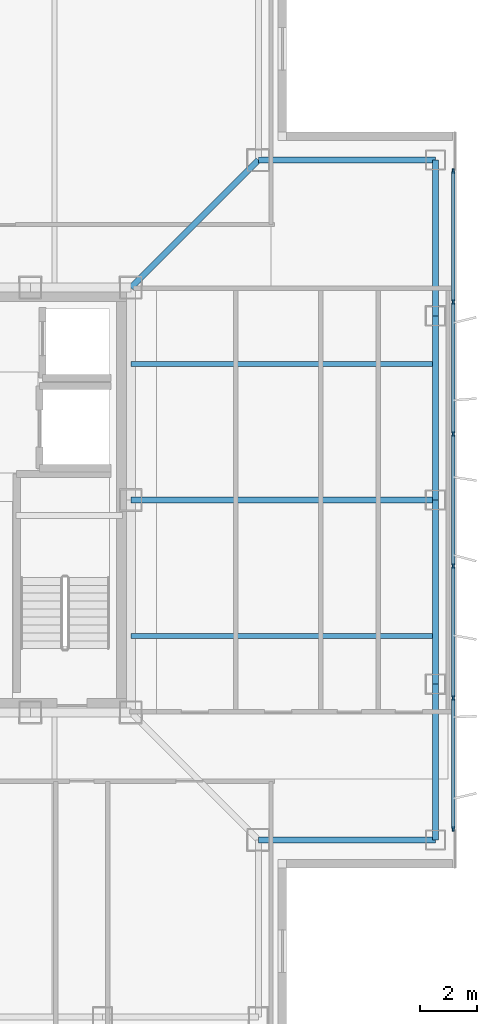
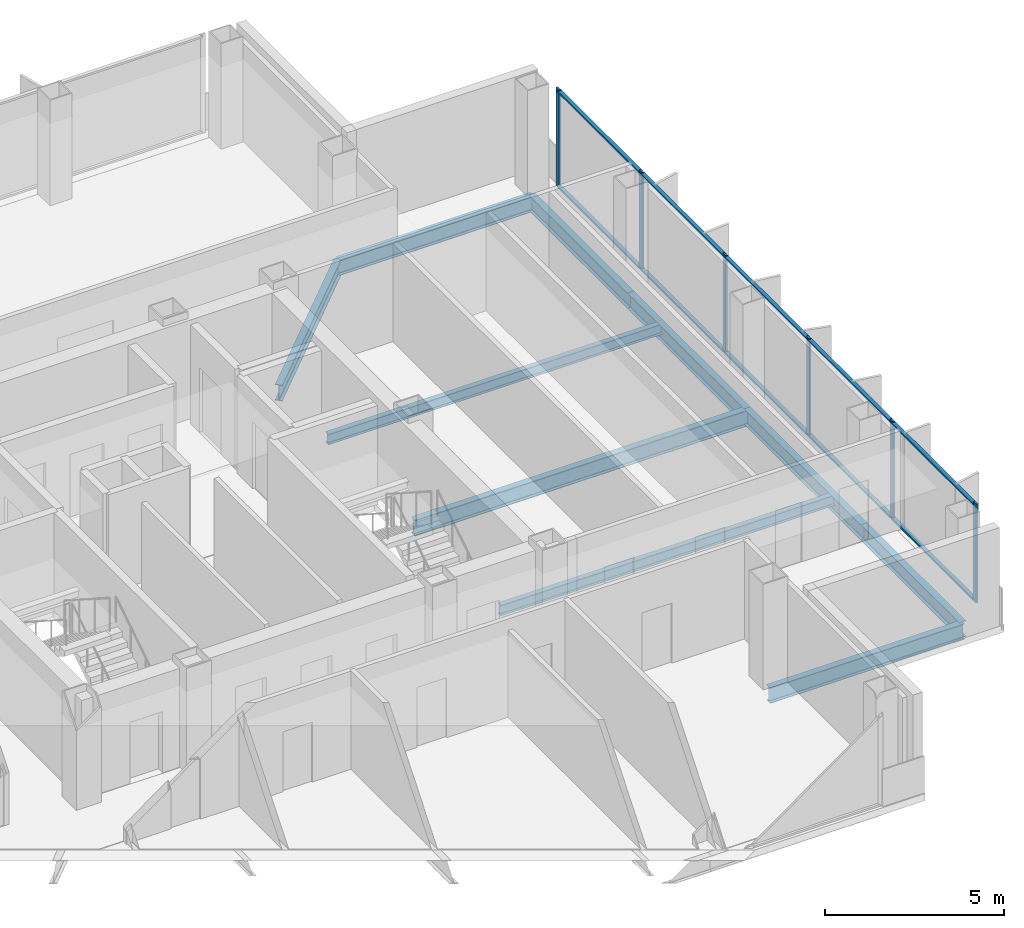
# One storey, part 5 of 15: 16 members, 10 beams, 1 element without a shape of its own.
"""IFC4 building model written with IfcOpenShell, lengths in metres."""

from ifc_helpers import new_model, si_unit, direction, frame, origin, origin_2d, place, context, subcontext, project, spatial, rectangle, i_section, extrude, material, layer, layer_set, material_profile, profile_set, type_object, element, aggregate, save


model = new_model("IFC4")

# Units and contexts
model_context = context("Model", 3, precision=1e-05, world=origin(), true_north=direction((0.0, 1.0)))
body_context = subcontext(model_context, "Body", "Model", "MODEL_VIEW")
ifc_project = project(units=[si_unit("LENGTHUNIT", "METRE"), si_unit("AREAUNIT", "SQUARE_METRE"), si_unit("VOLUMEUNIT", "CUBIC_METRE"), si_unit("PLANEANGLEUNIT", "RADIAN"), si_unit("MASSUNIT", "GRAM", prefix="KILO")], contexts=[model_context])

# Site, building, storey
site_placement = place(None, origin())
site = spatial("IfcSite", under=ifc_project, at=site_placement, CompositionType="ELEMENT")
building_placement = place(site_placement, origin())
building = spatial("IfcBuilding", under=site, at=building_placement, Name="Trevonay Congress Spire", CompositionType="ELEMENT")
storey_placement = place(building_placement, frame((0.0, 0.0, 293.60009765625)))
storey = spatial("IfcBuildingStorey", under=building, at=storey_placement, Name="L77", CompositionType="ELEMENT", Elevation=293.60009765625)

# Beams
ifc_material_1 = material(Name="Steel ASTM A572 Grade 50", Category="steel")
ifc_material_profile_1 = material_profile(ifc_material_1, i_section(OverallWidth=0.2119140625, OverallDepth=0.5439453125, WebThickness=0.01318359375, FlangeThickness=0.021240234375, FilletRadius=0.014892578125, at=origin_2d()), Name="W530x123")
ifc_profile_set_1 = profile_set([ifc_material_profile_1], Name="Steel ASTM A572 Grade 50")
beam_type_1 = type_object("IfcBeamType", Name="BM-GIRD-W530X123", PredefinedType="BEAM", material=ifc_profile_set_1)
beam_1_placement = place(storey_placement, frame((7.5, 7.5, -0.51220703125), z_axis=(0.707106781187, 0.707106781187, 0.0), x_axis=(-0.707106781187, 0.707106781187, 0.0)))
element("IfcBeam", 1, at=beam_1_placement, inside=storey, type_object=beam_type_1, Name="L77 structural beam BM-L77-CDNE", PredefinedType="BEAM", context=body_context, shape_type="SweptSolid", body=[
    extrude(i_section(OverallWidth=0.2119140625, OverallDepth=0.5439453125, WebThickness=0.01318359375, FlangeThickness=0.021240234375, FilletRadius=0.014892578125, at=origin_2d()), origin(), (0.0, 0.0, 1.0), 6.364013671875),
])
beam_2_placement = place(storey_placement, frame((7.5, 0.0, -0.51220703125), z_axis=(1.0, 0.0, 0.0), x_axis=(0.0, 1.0, 0.0)))
element("IfcBeam", 2, at=beam_2_placement, inside=storey, type_object=beam_type_1, Name="L77 structural beam BM-L77-GC-E", PredefinedType="BEAM", context=body_context, shape_type="SweptSolid", body=[
    extrude(i_section(OverallWidth=0.2119140625, OverallDepth=0.5439453125, WebThickness=0.01318359375, FlangeThickness=0.021240234375, FilletRadius=0.014892578125, at=origin_2d()), origin(), (0.0, 0.0, 1.0), 10.75),
])
ifc_material_profile_2 = material_profile(ifc_material_1, i_section(OverallWidth=0.208984375, OverallDepth=0.532958984375, WebThickness=0.01025390625, FlangeThickness=0.015625, FilletRadius=0.014892578125, at=origin_2d()), Name="W530x92")
ifc_profile_set_2 = profile_set([ifc_material_profile_2], Name="Steel ASTM A572 Grade 50")
beam_type_2 = type_object("IfcBeamType", Name="BM-RING-W530X92", PredefinedType="BEAM", material=ifc_profile_set_2)
beam_3_placement = place(storey_placement, frame((18.25, -12.0, -0.506591796875), z_axis=(0.0, 1.0, 0.0), x_axis=(-1.0, 0.0, 0.0)))
element("IfcBeam", 3, at=beam_3_placement, inside=storey, type_object=beam_type_2, Name="L77 structural beam BM-L77-PE1", PredefinedType="BEAM", context=body_context, shape_type="SweptSolid", body=[
    extrude(i_section(OverallWidth=0.208984375, OverallDepth=0.532958984375, WebThickness=0.01025390625, FlangeThickness=0.015625, FilletRadius=0.014892578125, at=origin_2d()), origin(), (0.0, 0.0, 1.0), 5.5),
])
for number, where, z_axis, x_axis, name in (
    (4, (18.25, -6.5, -0.506591796875), (0.0, 1.0, 0.0), (-1.0, 0.0, 0.0), "L77 structural beam BM-L77-PE2"),
    (5, (18.25, 0.0, -0.506591796875), (0.0, 1.0, 0.0), (-1.0, 0.0, 0.0), "L77 structural beam BM-L77-PE3"),
):
    element("IfcBeam", number, at=place(storey_placement, frame(where, z_axis=z_axis, x_axis=x_axis)), inside=storey, type_object=beam_type_2, Name=name, PredefinedType="BEAM", context=body_context, shape_type="SweptSolid", body=[
        extrude(i_section(OverallWidth=0.208984375, OverallDepth=0.532958984375, WebThickness=0.01025390625, FlangeThickness=0.015625, FilletRadius=0.014892578125, at=origin_2d()), origin(), (0.0, 0.0, 1.0), 6.5),
    ])
beam_4_placement = place(storey_placement, frame((18.25, 6.5, -0.506591796875), z_axis=(0.0, 1.0, 0.0), x_axis=(-1.0, 0.0, 0.0)))
element("IfcBeam", 6, at=beam_4_placement, inside=storey, type_object=beam_type_2, Name="L77 structural beam BM-L77-PE4", PredefinedType="BEAM", context=body_context, shape_type="SweptSolid", body=[
    extrude(i_section(OverallWidth=0.208984375, OverallDepth=0.532958984375, WebThickness=0.01025390625, FlangeThickness=0.015625, FilletRadius=0.014892578125, at=origin_2d()), origin(), (0.0, 0.0, 1.0), 5.5),
])
for number, where, z_axis, x_axis, name in (
    (7, (18.25, -12.0, -0.506591796875), (-1.0, 0.0, 0.0), (0.0, -1.0, 0.0), "L77 structural beam BM-L77-N2SE"),
    (8, (18.25, 12.0, -0.506591796875), (-1.0, 0.0, 0.0), (0.0, -1.0, 0.0), "L77 structural beam BM-L77-N2NE"),
):
    element("IfcBeam", number, at=place(storey_placement, frame(where, z_axis=z_axis, x_axis=x_axis)), inside=storey, type_object=beam_type_2, Name=name, PredefinedType="BEAM", context=body_context, shape_type="SweptSolid", body=[
        extrude(i_section(OverallWidth=0.208984375, OverallDepth=0.532958984375, WebThickness=0.01025390625, FlangeThickness=0.015625, FilletRadius=0.014892578125, at=origin_2d()), origin(), (0.0, 0.0, 1.0), 6.25),
    ])

# Curtain wall, members
ifc_material_2 = material(Name="Pale Anodised Aluminium EN AW-6063-T6", Category="aluminium")
ifc_layer = layer(ifc_material_2, 0.1650390625, Name="Pale Anodised Aluminium EN AW-6063-T6")
ifc_layer_set = layer_set([ifc_layer], Name="Pale Anodised Aluminium EN AW-6063-T6")
curtain_wall_type = type_object("IfcCurtainWallType", Name="CW-SYS05-DIPLOM-PALE-METAL", PredefinedType="NOTDEFINED", material=ifc_layer_set)
curtain_wall_placement = place(storey_placement, origin())
curtain_wall = element("IfcCurtainWall", 9, at=curtain_wall_placement, inside=storey, type_object=curtain_wall_type, Name="L77 E unitised curtain wall", PredefinedType="NOTDEFINED")
ifc_material_profile_3 = material_profile(ifc_material_2, rectangle(XDim=0.06005859375, YDim=0.159912109375, at=origin_2d()), Name="CW-MULLION-160-ALUMINIUM")
ifc_profile_set_3 = profile_set([ifc_material_profile_3], Name="Pale Anodised Aluminium EN AW-6063-T6")
member_type_1 = type_object("IfcMemberType", Name="CW-MULLION-160-ALUMINIUM", PredefinedType="MULLION", material=ifc_profile_set_3)
member_1_placement = place(storey_placement, frame((18.8798828125, -11.6201171875, 0.0), z_axis=(0.0, 0.0, 1.0), x_axis=(-1.0, 0.0, 0.0)))
member_1 = element("IfcMember", 10, at=member_1_placement, type_object=member_type_1, Name="CW05 mullion 1", PredefinedType="MULLION", context=body_context, shape_type="SweptSolid", body=[
    extrude(rectangle(XDim=0.06005859375, YDim=0.159912109375, at=origin_2d()), origin(), (0.0, 0.0, 1.0), 3.35986328125),
])
member_2_placement = place(storey_placement, frame((18.8798828125, -6.989990234375, 0.0), z_axis=(0.0, 0.0, 1.0), x_axis=(-1.0, 0.0, 0.0)))
member_2 = element("IfcMember", 11, at=member_2_placement, type_object=member_type_1, Name="CW05 mullion 2", PredefinedType="MULLION", context=body_context, shape_type="SweptSolid", body=[
    extrude(rectangle(XDim=0.06005859375, YDim=0.159912109375, at=origin_2d()), origin(), (0.0, 0.0, 1.0), 3.35986328125),
])
member_3_placement = place(storey_placement, frame((18.8798828125, -2.330078125, 0.0), z_axis=(0.0, 0.0, 1.0), x_axis=(-1.0, 0.0, 0.0)))
member_3 = element("IfcMember", 12, at=member_3_placement, type_object=member_type_1, Name="CW05 mullion 3", PredefinedType="MULLION", context=body_context, shape_type="SweptSolid", body=[
    extrude(rectangle(XDim=0.06005859375, YDim=0.159912109375, at=origin_2d()), origin(), (0.0, 0.0, 1.0), 3.35986328125),
])
member_4_placement = place(storey_placement, frame((18.8798828125, 2.330078125, 0.0), z_axis=(0.0, 0.0, 1.0), x_axis=(-1.0, 0.0, 0.0)))
member_4 = element("IfcMember", 13, at=member_4_placement, type_object=member_type_1, Name="CW05 mullion 4", PredefinedType="MULLION", context=body_context, shape_type="SweptSolid", body=[
    extrude(rectangle(XDim=0.06005859375, YDim=0.159912109375, at=origin_2d()), origin(), (0.0, 0.0, 1.0), 3.35986328125),
])
member_5_placement = place(storey_placement, frame((18.8798828125, 6.989990234375, 0.0), z_axis=(0.0, 0.0, 1.0), x_axis=(-1.0, 0.0, 0.0)))
member_5 = element("IfcMember", 14, at=member_5_placement, type_object=member_type_1, Name="CW05 mullion 5", PredefinedType="MULLION", context=body_context, shape_type="SweptSolid", body=[
    extrude(rectangle(XDim=0.06005859375, YDim=0.159912109375, at=origin_2d()), origin(), (0.0, 0.0, 1.0), 3.35986328125),
])
member_6_placement = place(storey_placement, frame((18.8798828125, 11.6201171875, 0.0), z_axis=(0.0, 0.0, 1.0), x_axis=(-1.0, 0.0, 0.0)))
member_6 = element("IfcMember", 15, at=member_6_placement, type_object=member_type_1, Name="CW05 mullion 6", PredefinedType="MULLION", context=body_context, shape_type="SweptSolid", body=[
    extrude(rectangle(XDim=0.06005859375, YDim=0.159912109375, at=origin_2d()), origin(), (0.0, 0.0, 1.0), 3.35986328125),
])
ifc_material_profile_4 = material_profile(ifc_material_2, rectangle(XDim=0.1201171875, YDim=0.06005859375, at=origin_2d()), Name="CW-TRANSOM-120-ALUMINIUM")
ifc_profile_set_4 = profile_set([ifc_material_profile_4], Name="Pale Anodised Aluminium EN AW-6063-T6")
member_type_2 = type_object("IfcMemberType", Name="CW-TRANSOM-120-ALUMINIUM", PredefinedType="USERDEFINED", material=ifc_profile_set_4)
member_7_placement = place(storey_placement, frame((18.8798828125, -11.590087890625, 0.059814453125), z_axis=(0.0, 1.0, 0.0), x_axis=(-1.0, 0.0, 0.0)))
member_7 = element("IfcMember", 16, at=member_7_placement, type_object=member_type_2, Name="CW05 transom 1.1", ObjectType="TRANSOM", PredefinedType="USERDEFINED", context=body_context, shape_type="SweptSolid", body=[
    extrude(rectangle(XDim=0.1201171875, YDim=0.06005859375, at=origin_2d()), origin(), (0.0, 0.0, 1.0), 4.570068359375),
])
member_8_placement = place(storey_placement, frame((18.8798828125, -11.590087890625, 3.2998046875), z_axis=(0.0, 1.0, 0.0), x_axis=(-1.0, 0.0, 0.0)))
member_8 = element("IfcMember", 17, at=member_8_placement, type_object=member_type_2, Name="CW05 transom 1.2", ObjectType="TRANSOM", PredefinedType="USERDEFINED", context=body_context, shape_type="SweptSolid", body=[
    extrude(rectangle(XDim=0.1201171875, YDim=0.06005859375, at=origin_2d()), origin(), (0.0, 0.0, 1.0), 4.570068359375),
])
member_9_placement = place(storey_placement, frame((18.8798828125, -6.9599609375, 0.059814453125), z_axis=(0.0, 1.0, 0.0), x_axis=(-1.0, 0.0, 0.0)))
member_9 = element("IfcMember", 18, at=member_9_placement, type_object=member_type_2, Name="CW05 transom 2.1", ObjectType="TRANSOM", PredefinedType="USERDEFINED", context=body_context, shape_type="SweptSolid", body=[
    extrude(rectangle(XDim=0.1201171875, YDim=0.06005859375, at=origin_2d()), origin(), (0.0, 0.0, 1.0), 4.599853515625),
])
member_10_placement = place(storey_placement, frame((18.8798828125, -6.9599609375, 3.2998046875), z_axis=(0.0, 1.0, 0.0), x_axis=(-1.0, 0.0, 0.0)))
member_10 = element("IfcMember", 19, at=member_10_placement, type_object=member_type_2, Name="CW05 transom 2.2", ObjectType="TRANSOM", PredefinedType="USERDEFINED", context=body_context, shape_type="SweptSolid", body=[
    extrude(rectangle(XDim=0.1201171875, YDim=0.06005859375, at=origin_2d()), origin(), (0.0, 0.0, 1.0), 4.599853515625),
])
member_11_placement = place(storey_placement, frame((18.8798828125, -2.300048828125, 0.059814453125), z_axis=(0.0, 1.0, 0.0), x_axis=(-1.0, 0.0, 0.0)))
member_11 = element("IfcMember", 20, at=member_11_placement, type_object=member_type_2, Name="CW05 transom 3.1", ObjectType="TRANSOM", PredefinedType="USERDEFINED", context=body_context, shape_type="SweptSolid", body=[
    extrude(rectangle(XDim=0.1201171875, YDim=0.06005859375, at=origin_2d()), origin(), (0.0, 0.0, 1.0), 4.60009765625),
])
member_12_placement = place(storey_placement, frame((18.8798828125, -2.300048828125, 3.2998046875), z_axis=(0.0, 1.0, 0.0), x_axis=(-1.0, 0.0, 0.0)))
member_12 = element("IfcMember", 21, at=member_12_placement, type_object=member_type_2, Name="CW05 transom 3.2", ObjectType="TRANSOM", PredefinedType="USERDEFINED", context=body_context, shape_type="SweptSolid", body=[
    extrude(rectangle(XDim=0.1201171875, YDim=0.06005859375, at=origin_2d()), origin(), (0.0, 0.0, 1.0), 4.60009765625),
])
member_13_placement = place(storey_placement, frame((18.8798828125, 2.360107421875, 0.059814453125), z_axis=(0.0, 1.0, 0.0), x_axis=(-1.0, 0.0, 0.0)))
member_13 = element("IfcMember", 22, at=member_13_placement, type_object=member_type_2, Name="CW05 transom 4.1", ObjectType="TRANSOM", PredefinedType="USERDEFINED", context=body_context, shape_type="SweptSolid", body=[
    extrude(rectangle(XDim=0.1201171875, YDim=0.06005859375, at=origin_2d()), origin(), (0.0, 0.0, 1.0), 4.599853515625),
])
member_14_placement = place(storey_placement, frame((18.8798828125, 2.360107421875, 3.2998046875), z_axis=(0.0, 1.0, 0.0), x_axis=(-1.0, 0.0, 0.0)))
member_14 = element("IfcMember", 23, at=member_14_placement, type_object=member_type_2, Name="CW05 transom 4.2", ObjectType="TRANSOM", PredefinedType="USERDEFINED", context=body_context, shape_type="SweptSolid", body=[
    extrude(rectangle(XDim=0.1201171875, YDim=0.06005859375, at=origin_2d()), origin(), (0.0, 0.0, 1.0), 4.599853515625),
])
member_15_placement = place(storey_placement, frame((18.8798828125, 7.02001953125, 0.059814453125), z_axis=(0.0, 1.0, 0.0), x_axis=(-1.0, 0.0, 0.0)))
member_15 = element("IfcMember", 24, at=member_15_placement, type_object=member_type_2, Name="CW05 transom 5.1", ObjectType="TRANSOM", PredefinedType="USERDEFINED", context=body_context, shape_type="SweptSolid", body=[
    extrude(rectangle(XDim=0.1201171875, YDim=0.06005859375, at=origin_2d()), origin(), (0.0, 0.0, 1.0), 4.570068359375),
])
member_16_placement = place(storey_placement, frame((18.8798828125, 7.02001953125, 3.2998046875), z_axis=(0.0, 1.0, 0.0), x_axis=(-1.0, 0.0, 0.0)))
member_16 = element("IfcMember", 25, at=member_16_placement, type_object=member_type_2, Name="CW05 transom 5.2", ObjectType="TRANSOM", PredefinedType="USERDEFINED", context=body_context, shape_type="SweptSolid", body=[
    extrude(rectangle(XDim=0.1201171875, YDim=0.06005859375, at=origin_2d()), origin(), (0.0, 0.0, 1.0), 4.570068359375),
])
aggregate(curtain_wall, [member_1, member_2, member_3, member_4, member_5, member_6, member_7, member_8, member_9, member_10, member_11, member_12, member_13, member_14, member_15, member_16])

# Beams
ifc_material_profile_5 = material_profile(ifc_material_1, i_section(OverallWidth=0.172119140625, OverallDepth=0.35791015625, WebThickness=0.0078125, FlangeThickness=0.01318359375, FilletRadius=0.011962890625, at=origin_2d()), Name="W360x57.8")
ifc_profile_set_5 = profile_set([ifc_material_profile_5], Name="Steel ASTM A572 Grade 50")
beam_type_3 = type_object("IfcBeamType", Name="JS-COMP-W360X57", PredefinedType="JOIST", material=ifc_profile_set_5)
for number, where, z_axis, x_axis, name in (
    (26, (7.5, -4.800048828125, -0.419189453125), (1.0, 0.0, 0.0), (0.0, 1.0, 0.0), "L77 structural beam JS-L77-EW-E1"),
    (27, (7.5, 4.800048828125, -0.419189453125), (1.0, 0.0, 0.0), (0.0, 1.0, 0.0), "L77 structural beam JS-L77-EW-E3"),
):
    element("IfcBeam", number, at=place(storey_placement, frame(where, z_axis=z_axis, x_axis=x_axis)), inside=storey, type_object=beam_type_3, Name=name, PredefinedType="JOIST", context=body_context, shape_type="SweptSolid", body=[
        extrude(i_section(OverallWidth=0.172119140625, OverallDepth=0.35791015625, WebThickness=0.0078125, FlangeThickness=0.01318359375, FilletRadius=0.011962890625, at=origin_2d()), origin(), (0.0, 0.0, 1.0), 10.75),
    ])

save(model, "model.ifc")
